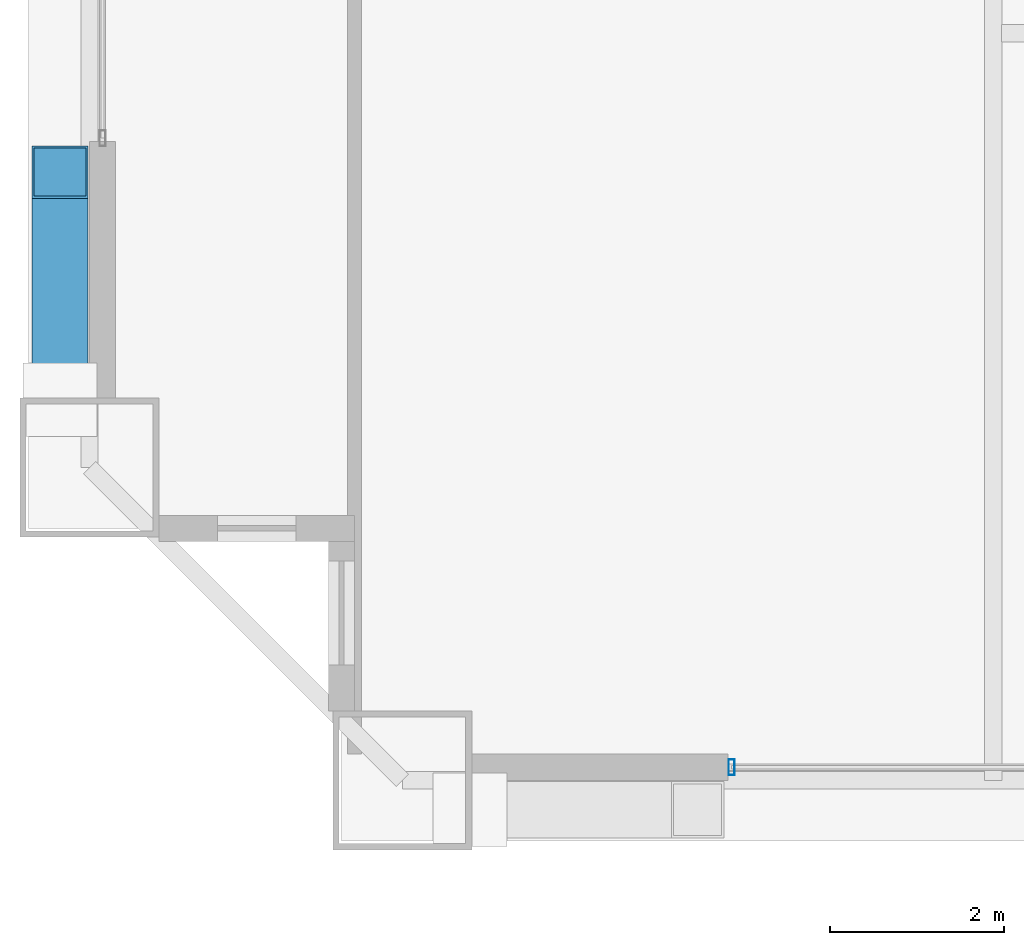
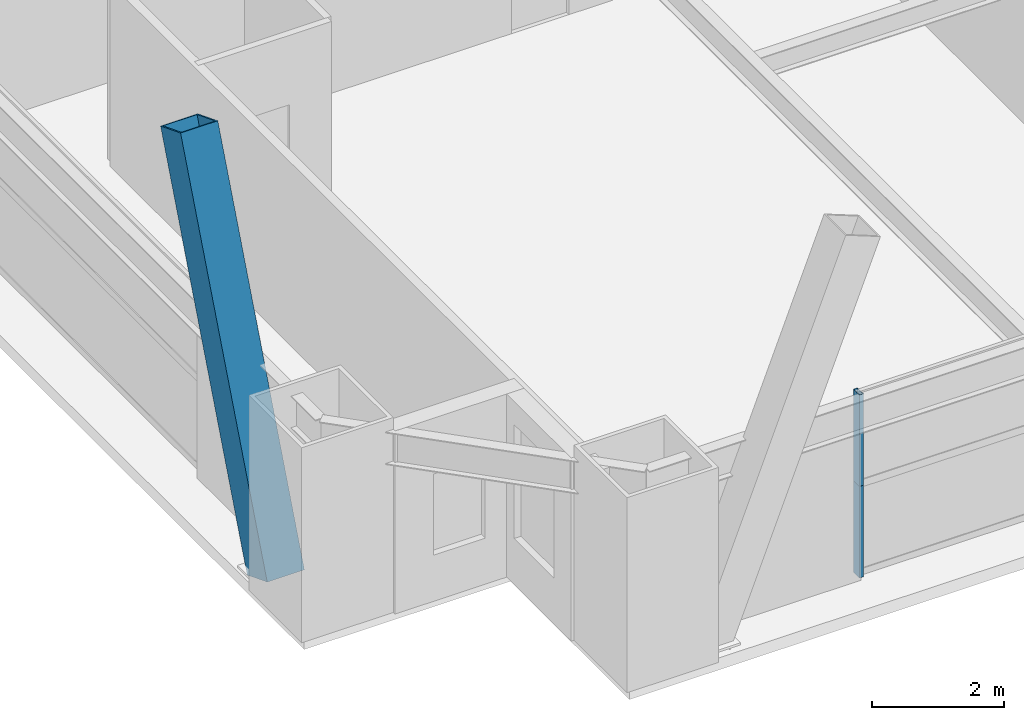
# One storey, part 3 of 41: 3 members, 1 element without a shape of its own.
"""IFC4 building model written with IfcOpenShell, lengths in metres."""

from ifc_helpers import new_model, si_unit, direction, frame, origin, origin_2d, place, context, subcontext, project, spatial, hollow_rectangle, extrude, source, transform, mapped, material, layer, layer_set, material_profile, profile_set, type_object, element, aggregate, save


model = new_model("IFC4")

# Units and contexts
model_context = context("Model", 3, precision=1e-05, world=origin(), true_north=direction((0.0, 1.0)))
body_context = subcontext(model_context, "Body", "Model", "MODEL_VIEW")
ifc_project = project(units=[si_unit("LENGTHUNIT", "METRE"), si_unit("AREAUNIT", "SQUARE_METRE"), si_unit("VOLUMEUNIT", "CUBIC_METRE"), si_unit("PLANEANGLEUNIT", "RADIAN"), si_unit("MASSUNIT", "GRAM", prefix="KILO"), si_unit("THERMODYNAMICTEMPERATUREUNIT", "KELVIN"), si_unit("POWERUNIT", "WATT")], contexts=[model_context])

# Site, building, storey
site_placement = place(None, origin())
site = spatial("IfcSite", under=ifc_project, at=site_placement, CompositionType="ELEMENT")
building_placement = place(site_placement, origin())
building = spatial("IfcBuilding", under=site, at=building_placement, Name="Yuzanri Waterfront Tower", CompositionType="ELEMENT")
storey_placement = place(building_placement, frame((0.0, 0.0, 122.60009765625)))
storey = spatial("IfcBuildingStorey", under=building, at=storey_placement, Name="L32", CompositionType="ELEMENT", Elevation=122.60009765625)

# Member
ifc_material_1 = material(Name="Steel Q420GJC", Category="steel")
ifc_material_profile_1 = material_profile(ifc_material_1, hollow_rectangle(XDim=0.64990234375, YDim=0.64990234375, WallThickness=0.028076171875, at=origin_2d()), Name="RHS 650x650x28")
ifc_profile_set_1 = profile_set([ifc_material_profile_1], Name="Steel Q420GJC")
member_type_1 = type_object("IfcMemberType", Name="Mega Brace Lower Q420GJC RHS 650x650x28", PredefinedType="BRACE", material=ifc_profile_set_1)
shared_shape_1 = source(origin(), body_context, "Body", "SweptSolid", [
    extrude(hollow_rectangle(XDim=0.64990234375, YDim=0.64990234375, WallThickness=0.028076171875, at=origin_2d()), origin(), (0.0, 0.0, 1.0), 7.19384765625),
])
member_1_placement = place(storey_placement, frame((13.06005859375, 6.580078125, 0.179931640625), z_axis=(0.0, 0.36417668996, 0.9313298763), x_axis=(-1.0, 0.0, 0.0)))
element("IfcMember", 1, at=member_1_placement, inside=storey, type_object=member_type_1, Name="L32-L33 Perimeter Mega-Brace W-L", PredefinedType="BRACE", context=body_context, shape_type="MappedRepresentation", body=[
    mapped(shared_shape_1, transform((0.0, 0.0, 0.0), scale=1.0)),
])

# Curtain wall, members
ifc_material_2 = material(Name="Anodized Architectural Bronze", Category="metal")
ifc_layer = layer(ifc_material_2, 0.159912109375)
ifc_layer_set = layer_set([ifc_layer], Name="Anodized Architectural Bronze")
curtain_wall_type = type_object("IfcCurtainWallType", Name="Anodized Bronze Hotel Upper-Tier Solar-Control Unitized Curtain Wall 7800", PredefinedType="NOTDEFINED", material=ifc_layer_set)
curtain_wall_placement = place(storey_placement, origin())
curtain_wall = element("IfcCurtainWall", 2, at=curtain_wall_placement, inside=storey, type_object=curtain_wall_type, Name="L32 Curtain Wall CW-L32-SL", PredefinedType="NOTDEFINED")
ifc_material_3 = material(Name="Anodized Architectural Bronze", Category="metal")
ifc_material_profile_2 = material_profile(ifc_material_3, hollow_rectangle(XDim=0.070068359375, YDim=0.179931640625, WallThickness=0.00390625, at=origin_2d()), Name="CWM 70x180")
ifc_profile_set_2 = profile_set([ifc_material_profile_2], Name="Anodized Architectural Bronze")
member_type_2 = type_object("IfcMemberType", Name="Anodized Bronze Standard Curtain-Wall Mullion 70x180", PredefinedType="MULLION", material=ifc_profile_set_2)
shared_shape_2 = source(origin(), body_context, "Body", "SweptSolid", [
    extrude(hollow_rectangle(XDim=0.070068359375, YDim=0.179931640625, WallThickness=0.00390625, at=origin_2d()), origin(), (0.0, 0.0, 1.0), 1.68798828125),
])
member_2_placement = place(storey_placement, frame((20.7900390625, 2.35009765625, 0.0), z_axis=(0.0, 0.0, 1.0), x_axis=(1.0, 0.0, 0.0)))
member_2 = element("IfcMember", 3, at=member_2_placement, type_object=member_type_2, Name="CW-L32-SL Lower Mullion 00", PredefinedType="MULLION", context=body_context, shape_type="MappedRepresentation", body=[
    mapped(shared_shape_2, transform((0.0, 0.0, 0.0), scale=1.0)),
])
member_3_placement = place(storey_placement, frame((20.7900390625, 2.35009765625, 1.69189453125), z_axis=(0.0, 0.0, 1.0), x_axis=(1.0, 0.0, 0.0)))
member_3 = element("IfcMember", 4, at=member_3_placement, type_object=member_type_2, Name="CW-L32-SL Upper Mullion 00", PredefinedType="MULLION", context=body_context, shape_type="MappedRepresentation", body=[
    mapped(shared_shape_2, transform((0.0, 0.0, 0.0), scale=1.0)),
])
aggregate(curtain_wall, [member_2, member_3])

save(model, "model.ifc")
